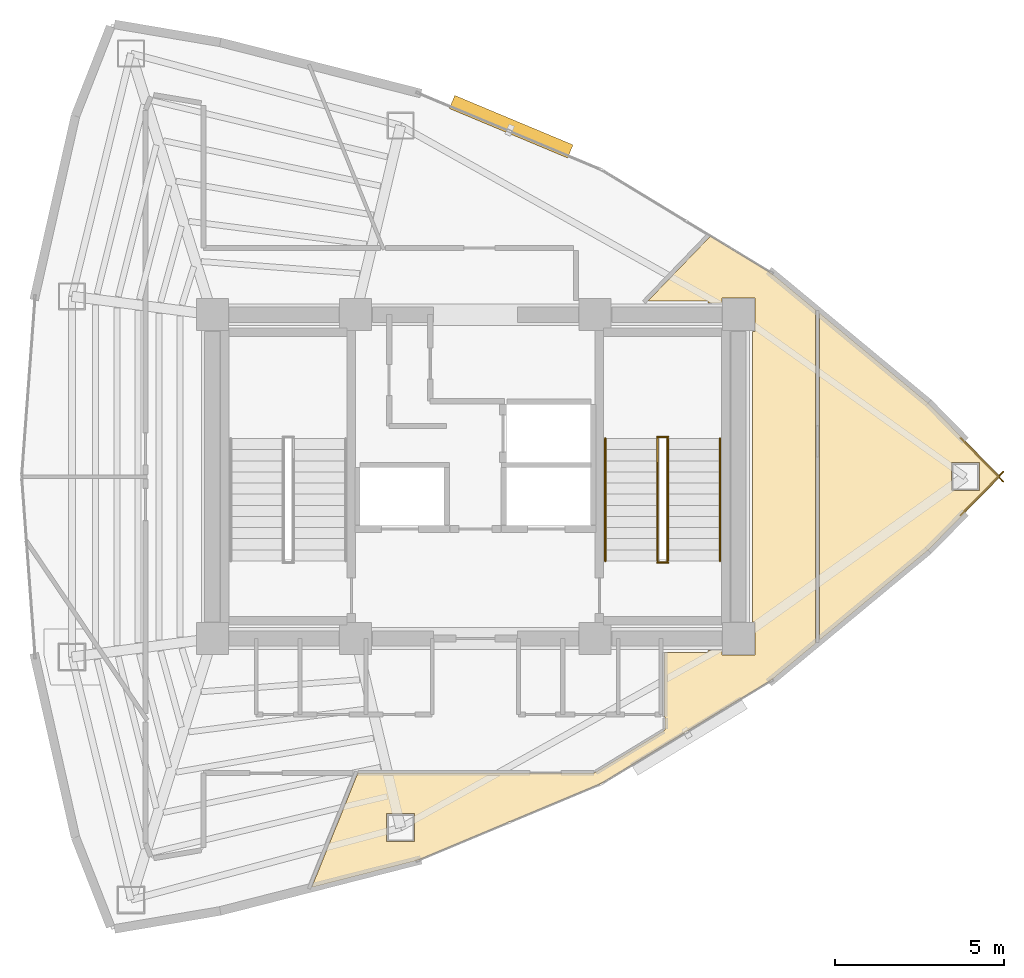
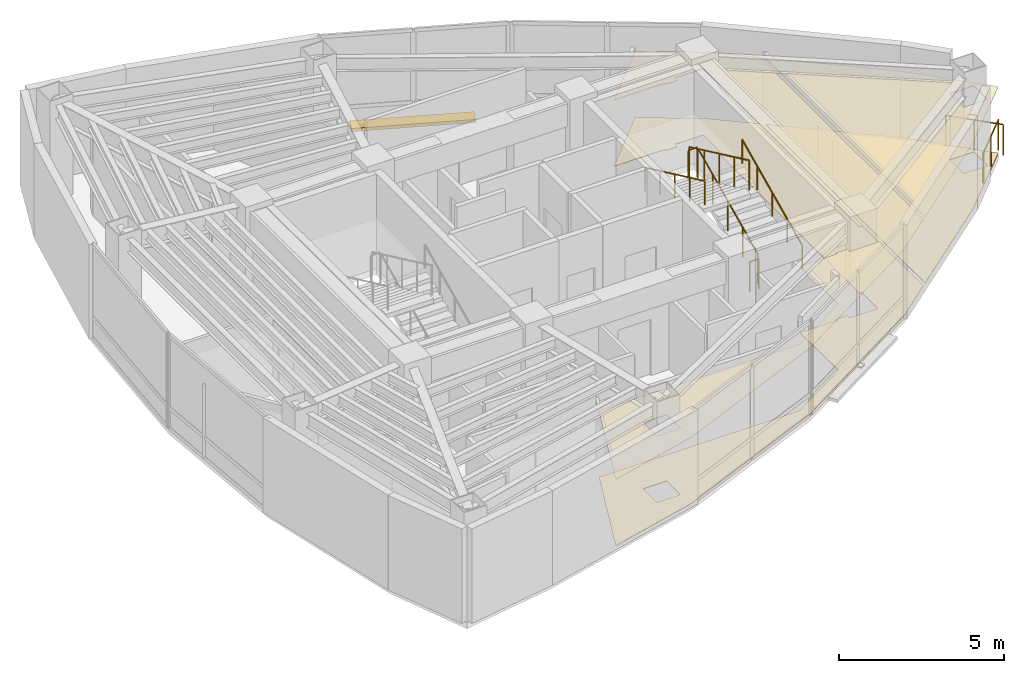
# One storey, part 15 of 15: 8 railings, 4 coverings, 1 shading device.
"""IFC4 building model written with IfcOpenShell, lengths in metres."""

from ifc_helpers import new_model, si_unit, direction, frame, origin, origin_2d, place, context, subcontext, project, spatial, polyline, rectangle, circle, outline, extrude, material, layer, layer_set, type_object, element, save


model = new_model("IFC4")

# Units and contexts
model_context = context("Model", 3, precision=1e-05, world=origin(), true_north=direction((0.0, 1.0)))
body_context = subcontext(model_context, "Body", "Model", "MODEL_VIEW")
ifc_project = project(units=[si_unit("LENGTHUNIT", "METRE"), si_unit("AREAUNIT", "SQUARE_METRE"), si_unit("VOLUMEUNIT", "CUBIC_METRE"), si_unit("PLANEANGLEUNIT", "RADIAN"), si_unit("MASSUNIT", "GRAM", prefix="KILO")], contexts=[model_context])

# Site, building, storey
site_placement = place(None, origin())
site = spatial("IfcSite", under=ifc_project, at=site_placement, CompositionType="ELEMENT")
building_placement = place(site_placement, origin())
building = spatial("IfcBuilding", under=site, at=building_placement, Name="Menara Vayukalpa", CompositionType="ELEMENT")
storey_placement = place(building_placement, frame((0.0, 0.0, 269.4599609375)))
storey = spatial("IfcBuildingStorey", under=building, at=storey_placement, Name="L68", CompositionType="ELEMENT", Elevation=269.4599609375)

# Coverings
ifc_material_1 = material(Name="Mineral Fibre Acoustic Ceiling Tile", Category="masonry")
ifc_layer_1 = layer(ifc_material_1, 0.02490234375)
ifc_layer_set_1 = layer_set([ifc_layer_1], Name="Mineral Fibre Acoustic Ceiling Tile")
covering_type_1 = type_object("IfcCoveringType", Name="COV-CLG1", PredefinedType="CEILING", material=ifc_layer_set_1)
covering_1_placement = place(storey_placement, frame((0.0, 0.0, 2.449951171875)))
element("IfcCovering", 1, at=covering_1_placement, inside=storey, type_object=covering_type_1, Name="L68 Staff Dining and Pantry Acoustic Ceiling", PredefinedType="CEILING", context=body_context, shape_type="SweptSolid", body=[
    extrude(outline(polyline([(33.81005859375, 26.31005859375), (33.889892578125, 26.31005859375), (33.889892578125, 27.2900390625), (32.909912109375, 27.2900390625), (32.909912109375, 27.14990234375), (32.489990234375, 27.14990234375), (32.489990234375, 27.2099609375), (30.73828125, 27.2099609375), (30.7373046875, 27.2099609375), (30.736328125, 27.210205078125), (30.7353515625, 27.21044921875), (30.734375, 27.210693359375), (30.7333984375, 27.211181640625), (30.732666015625, 27.211669921875), (30.73193359375, 27.212158203125), (30.731201171875, 27.212890625), (30.73046875, 27.213623046875), (30.72998046875, 27.21435546875), (30.7294921875, 27.215087890625), (30.72900390625, 27.216064453125), (30.728759765625, 27.217041015625), (30.728515625, 27.218017578125), (30.728271484375, 27.218994140625), (30.728271484375, 27.219970703125), (30.728271484375, 27.220947265625), (30.728515625, 27.2216796875), (30.728515625, 27.222900390625), (30.72900390625, 27.2236328125), (30.729248046875, 27.224609375), (30.729736328125, 27.225341796875), (30.73046875, 27.226318359375), (30.73095703125, 27.226806640625), (32.561279296875, 29.122314453125), (32.56201171875, 29.122802734375), (32.562744140625, 29.12353515625), (32.563720703125, 29.1240234375), (32.564453125, 29.12451171875), (32.565185546875, 29.124755859375), (32.56640625, 29.125), (32.567138671875, 29.125244140625), (32.568115234375, 29.125244140625), (32.569091796875, 29.125244140625), (32.570068359375, 29.125244140625), (32.571044921875, 29.125), (32.572021484375, 29.124755859375), (32.57275390625, 29.124267578125), (32.57373046875, 29.123779296875), (34.37353515625, 28.030517578125), (34.374755859375, 28.02978515625), (35.6806640625, 26.946533203125), (35.681396484375, 26.94580078125), (35.681884765625, 26.9453125), (35.6826171875, 26.9443359375), (35.68310546875, 26.943603515625), (35.68359375, 26.942626953125), (35.683837890625, 26.941650390625), (35.68408203125, 26.940673828125), (35.68408203125, 26.939697265625), (35.68408203125, 26.938720703125), (35.68408203125, 26.937744140625), (35.683837890625, 26.936767578125), (35.68310546875, 26.93359375), (35.682373046875, 26.927490234375), (35.681884765625, 26.92138671875), (35.681884765625, 17.07861328125), (35.682373046875, 17.072509765625), (35.68310546875, 17.06640625), (35.683837890625, 17.063232421875), (35.68408203125, 17.062255859375), (35.68408203125, 17.061279296875), (35.68408203125, 17.060302734375), (35.68408203125, 17.059326171875), (35.683837890625, 17.058349609375), (35.68359375, 17.057373046875), (35.68310546875, 17.056396484375), (35.6826171875, 17.0556640625), (35.681884765625, 17.0546875), (35.681396484375, 17.05419921875), (35.6806640625, 17.053466796875), (34.374755859375, 15.97021484375), (34.37353515625, 15.969482421875), (29.3271484375, 12.904052734375), (29.326416015625, 12.90380859375), (29.32568359375, 12.9033203125), (23.878662109375, 10.624755859375), (23.877197265625, 10.624267578125), (20.76513671875, 9.83056640625), (20.76416015625, 9.830322265625), (20.76318359375, 9.830322265625), (20.76220703125, 9.830322265625), (20.76123046875, 9.830322265625), (20.76025390625, 9.83056640625), (20.75927734375, 9.830810546875), (20.75830078125, 9.831298828125), (20.757568359375, 9.831787109375), (20.756591796875, 9.83251953125), (20.755859375, 9.8330078125), (20.755126953125, 9.833740234375), (20.754638671875, 9.83447265625), (20.75390625, 9.835205078125), (20.753662109375, 9.836181640625), (20.753173828125, 9.837158203125), (20.7529296875, 9.838134765625), (20.752685546875, 9.839111328125), (20.752685546875, 9.840087890625), (20.752685546875, 9.841064453125), (20.7529296875, 9.842041015625), (20.753173828125, 9.843017578125), (20.75341796875, 9.843994140625), (22.11474609375, 13.213623046875), (22.115234375, 13.214599609375), (22.11572265625, 13.215576171875), (22.1162109375, 13.21630859375), (22.116943359375, 13.217041015625), (22.11767578125, 13.2177734375), (22.118408203125, 13.21826171875), (22.119384765625, 13.21875), (22.1201171875, 13.21923828125), (22.12109375, 13.219482421875), (22.1220703125, 13.2197265625), (22.123046875, 13.219970703125), (22.1240234375, 13.219970703125), (29.109619140625, 13.219970703125), (29.11669921875, 13.220458984375), (29.12353515625, 13.221435546875), (29.13037109375, 13.22314453125), (29.13720703125, 13.2255859375), (29.153076171875, 13.232177734375), (29.157958984375, 13.234375), (29.16259765625, 13.237060546875), (31.18603515625, 14.46630859375), (31.1923828125, 14.470458984375), (31.19775390625, 14.47509765625), (31.20263671875, 14.480224609375), (31.20703125, 14.48583984375), (31.2109375, 14.491943359375), (31.214111328125, 14.498291015625), (31.216552734375, 14.5048828125), (31.218505859375, 14.511962890625), (31.219482421875, 14.51904296875), (31.219970703125, 14.5263671875), (31.219970703125, 14.849609375), (31.219482421875, 14.856689453125), (31.21875, 14.86376953125), (31.217041015625, 14.870361328125), (31.214599609375, 14.876708984375), (31.2119140625, 14.8828125), (31.211669921875, 14.883056640625), (31.211181640625, 14.8837890625), (31.210693359375, 14.884765625), (31.21044921875, 14.8857421875), (31.210205078125, 14.88671875), (31.2099609375, 14.8876953125), (31.2099609375, 14.888671875), (31.2099609375, 16.780029296875), (31.2099609375, 16.781005859375), (31.210205078125, 16.781982421875), (31.21044921875, 16.782958984375), (31.210693359375, 16.78369140625), (31.211181640625, 16.78466796875), (31.211669921875, 16.78564453125), (31.21240234375, 16.786376953125), (31.212890625, 16.787109375), (31.213623046875, 16.78759765625), (31.21435546875, 16.788330078125), (31.21533203125, 16.788818359375), (31.21630859375, 16.789306640625), (31.217041015625, 16.78955078125), (31.218017578125, 16.789794921875), (31.218994140625, 16.7900390625), (31.219970703125, 16.7900390625), (32.489990234375, 16.7900390625), (32.489990234375, 16.85009765625), (32.909912109375, 16.85009765625), (32.909912109375, 16.7099609375), (33.889892578125, 16.7099609375), (33.889892578125, 17.68994140625), (33.81005859375, 17.68994140625), (33.81005859375, 26.31005859375)]), holes=[polyline([(23.796875, 12.01025390625), (22.966796875, 12.01025390625), (22.966796875, 11.18017578125), (23.796875, 11.18017578125), (23.796875, 12.01025390625)])]), origin(), (0.0, 0.0, 1.0), 0.025146484375),
])
covering_2_placement = place(storey_placement, frame((0.0, 0.0, 2.449951171875)))
element("IfcCovering", 2, at=covering_2_placement, inside=storey, type_object=covering_type_1, Name="L68 Staff Dining and Pantry Acoustic Ceiling", PredefinedType="CEILING", context=body_context, shape_type="SweptSolid", body=[
    extrude(outline(polyline([(41.15087890625, 22.007080078125), (41.151611328125, 22.00634765625), (41.15234375, 22.005615234375), (41.152587890625, 22.004638671875), (41.1533203125, 22.00390625), (41.153564453125, 22.0029296875), (41.15380859375, 22.001953125), (41.15380859375, 22.0009765625), (41.15380859375, 22.0), (41.15380859375, 21.9990234375), (41.15380859375, 21.998046875), (41.153564453125, 21.9970703125), (41.1533203125, 21.99609375), (41.152587890625, 21.995361328125), (41.15234375, 21.994384765625), (41.151611328125, 21.99365234375), (41.15087890625, 21.992919921875), (39.021240234375, 19.82373046875), (39.0205078125, 19.822998046875), (35.818359375, 17.16748046875), (35.817626953125, 17.1669921875), (35.81689453125, 17.16650390625), (35.81591796875, 17.166015625), (35.81494140625, 17.165771484375), (35.81396484375, 17.16552734375), (35.81298828125, 17.165283203125), (35.81201171875, 17.165283203125), (35.81103515625, 17.165283203125), (35.81005859375, 17.16552734375), (35.80908203125, 17.165771484375), (35.80810546875, 17.166015625), (35.807373046875, 17.16650390625), (35.806396484375, 17.1669921875), (35.8056640625, 17.16748046875), (35.804931640625, 17.168212890625), (35.80419921875, 17.1689453125), (35.8037109375, 17.169677734375), (35.80322265625, 17.170654296875), (35.802734375, 17.17138671875), (35.802490234375, 17.17236328125), (35.80224609375, 17.17333984375), (35.802001953125, 17.17431640625), (35.802001953125, 17.17529296875), (35.802001953125, 26.82470703125), (35.802001953125, 26.82568359375), (35.80224609375, 26.82666015625), (35.802490234375, 26.82763671875), (35.802734375, 26.82861328125), (35.80322265625, 26.829345703125), (35.8037109375, 26.830322265625), (35.80419921875, 26.8310546875), (35.804931640625, 26.831787109375), (35.8056640625, 26.83251953125), (35.806396484375, 26.8330078125), (35.807373046875, 26.83349609375), (35.80810546875, 26.833984375), (35.80908203125, 26.834228515625), (35.81005859375, 26.83447265625), (35.81103515625, 26.834716796875), (35.81201171875, 26.834716796875), (35.81298828125, 26.834716796875), (35.81396484375, 26.83447265625), (35.81494140625, 26.834228515625), (35.81591796875, 26.833984375), (35.81689453125, 26.83349609375), (35.817626953125, 26.8330078125), (35.818359375, 26.83251953125), (39.0205078125, 24.177001953125), (39.021240234375, 24.17626953125), (41.15087890625, 22.007080078125)]), holes=[polyline([(40.536865234375, 22.4150390625), (39.706787109375, 22.4150390625), (39.706787109375, 21.5849609375), (40.536865234375, 21.5849609375), (40.536865234375, 22.4150390625)])]), origin(), (0.0, 0.0, 1.0), 0.025146484375),
])
ifc_material_2 = material(Name="Porcelain Stoneware Floor Tile", Category="masonry")
ifc_layer_2 = layer(ifc_material_2, 0.02001953125)
ifc_layer_set_2 = layer_set([ifc_layer_2], Name="Porcelain Stoneware Floor Tile")
covering_type_2 = type_object("IfcCoveringType", Name="COV-FLR1", PredefinedType="FLOORING", material=ifc_layer_set_2)
covering_3_placement = place(storey_placement, origin())
element("IfcCovering", 3, at=covering_3_placement, inside=storey, type_object=covering_type_2, Name="L68 Staff Dining and Pantry Porcelain Flooring", PredefinedType="FLOORING", context=body_context, shape_type="SweptSolid", body=[
    extrude(outline(polyline([(33.81005859375, 26.31005859375), (33.889892578125, 26.31005859375), (33.889892578125, 27.2900390625), (32.909912109375, 27.2900390625), (32.909912109375, 27.14990234375), (32.489990234375, 27.14990234375), (32.489990234375, 27.2099609375), (30.73828125, 27.2099609375), (30.7373046875, 27.2099609375), (30.736328125, 27.210205078125), (30.7353515625, 27.21044921875), (30.734375, 27.210693359375), (30.7333984375, 27.211181640625), (30.732666015625, 27.211669921875), (30.73193359375, 27.212158203125), (30.731201171875, 27.212890625), (30.73046875, 27.213623046875), (30.72998046875, 27.21435546875), (30.7294921875, 27.215087890625), (30.72900390625, 27.216064453125), (30.728759765625, 27.217041015625), (30.728515625, 27.218017578125), (30.728271484375, 27.218994140625), (30.728271484375, 27.219970703125), (30.728271484375, 27.220947265625), (30.728515625, 27.2216796875), (30.728515625, 27.222900390625), (30.72900390625, 27.2236328125), (30.729248046875, 27.224609375), (30.729736328125, 27.225341796875), (30.73046875, 27.226318359375), (30.73095703125, 27.226806640625), (32.561279296875, 29.122314453125), (32.56201171875, 29.122802734375), (32.562744140625, 29.12353515625), (32.563720703125, 29.1240234375), (32.564453125, 29.12451171875), (32.565185546875, 29.124755859375), (32.56640625, 29.125), (32.567138671875, 29.125244140625), (32.568115234375, 29.125244140625), (32.569091796875, 29.125244140625), (32.570068359375, 29.125244140625), (32.571044921875, 29.125), (32.572021484375, 29.124755859375), (32.57275390625, 29.124267578125), (32.57373046875, 29.123779296875), (34.37353515625, 28.030517578125), (34.374755859375, 28.02978515625), (35.6806640625, 26.946533203125), (35.681396484375, 26.94580078125), (35.681884765625, 26.9453125), (35.6826171875, 26.9443359375), (35.68310546875, 26.943603515625), (35.68359375, 26.942626953125), (35.683837890625, 26.941650390625), (35.68408203125, 26.940673828125), (35.68408203125, 26.939697265625), (35.68408203125, 26.938720703125), (35.68408203125, 26.937744140625), (35.683837890625, 26.936767578125), (35.68310546875, 26.93359375), (35.682373046875, 26.927490234375), (35.681884765625, 26.92138671875), (35.681884765625, 17.07861328125), (35.682373046875, 17.072509765625), (35.68310546875, 17.06640625), (35.683837890625, 17.063232421875), (35.68408203125, 17.062255859375), (35.68408203125, 17.061279296875), (35.68408203125, 17.060302734375), (35.68408203125, 17.059326171875), (35.683837890625, 17.058349609375), (35.68359375, 17.057373046875), (35.68310546875, 17.056396484375), (35.6826171875, 17.0556640625), (35.681884765625, 17.0546875), (35.681396484375, 17.05419921875), (35.6806640625, 17.053466796875), (34.374755859375, 15.97021484375), (34.37353515625, 15.969482421875), (29.3271484375, 12.904052734375), (29.326416015625, 12.90380859375), (29.32568359375, 12.9033203125), (23.878662109375, 10.624755859375), (23.877197265625, 10.624267578125), (20.76513671875, 9.83056640625), (20.76416015625, 9.830322265625), (20.76318359375, 9.830322265625), (20.76220703125, 9.830322265625), (20.76123046875, 9.830322265625), (20.76025390625, 9.83056640625), (20.75927734375, 9.830810546875), (20.75830078125, 9.831298828125), (20.757568359375, 9.831787109375), (20.756591796875, 9.83251953125), (20.755859375, 9.8330078125), (20.755126953125, 9.833740234375), (20.754638671875, 9.83447265625), (20.75390625, 9.835205078125), (20.753662109375, 9.836181640625), (20.753173828125, 9.837158203125), (20.7529296875, 9.838134765625), (20.752685546875, 9.839111328125), (20.752685546875, 9.840087890625), (20.752685546875, 9.841064453125), (20.7529296875, 9.842041015625), (20.753173828125, 9.843017578125), (20.75341796875, 9.843994140625), (22.11474609375, 13.213623046875), (22.115234375, 13.214599609375), (22.11572265625, 13.215576171875), (22.1162109375, 13.21630859375), (22.116943359375, 13.217041015625), (22.11767578125, 13.2177734375), (22.118408203125, 13.21826171875), (22.119384765625, 13.21875), (22.1201171875, 13.21923828125), (22.12109375, 13.219482421875), (22.1220703125, 13.2197265625), (22.123046875, 13.219970703125), (22.1240234375, 13.219970703125), (29.109619140625, 13.219970703125), (29.11669921875, 13.220458984375), (29.12353515625, 13.221435546875), (29.13037109375, 13.22314453125), (29.13720703125, 13.2255859375), (29.153076171875, 13.232177734375), (29.157958984375, 13.234375), (29.16259765625, 13.237060546875), (31.18603515625, 14.46630859375), (31.1923828125, 14.470458984375), (31.19775390625, 14.47509765625), (31.20263671875, 14.480224609375), (31.20703125, 14.48583984375), (31.2109375, 14.491943359375), (31.214111328125, 14.498291015625), (31.216552734375, 14.5048828125), (31.218505859375, 14.511962890625), (31.219482421875, 14.51904296875), (31.219970703125, 14.5263671875), (31.219970703125, 14.849609375), (31.219482421875, 14.856689453125), (31.21875, 14.86376953125), (31.217041015625, 14.870361328125), (31.214599609375, 14.876708984375), (31.2119140625, 14.8828125), (31.211669921875, 14.883056640625), (31.211181640625, 14.8837890625), (31.210693359375, 14.884765625), (31.21044921875, 14.8857421875), (31.210205078125, 14.88671875), (31.2099609375, 14.8876953125), (31.2099609375, 14.888671875), (31.2099609375, 16.780029296875), (31.2099609375, 16.781005859375), (31.210205078125, 16.781982421875), (31.21044921875, 16.782958984375), (31.210693359375, 16.78369140625), (31.211181640625, 16.78466796875), (31.211669921875, 16.78564453125), (31.21240234375, 16.786376953125), (31.212890625, 16.787109375), (31.213623046875, 16.78759765625), (31.21435546875, 16.788330078125), (31.21533203125, 16.788818359375), (31.21630859375, 16.789306640625), (31.217041015625, 16.78955078125), (31.218017578125, 16.789794921875), (31.218994140625, 16.7900390625), (31.219970703125, 16.7900390625), (32.489990234375, 16.7900390625), (32.489990234375, 16.85009765625), (32.909912109375, 16.85009765625), (32.909912109375, 16.7099609375), (33.889892578125, 16.7099609375), (33.889892578125, 17.68994140625), (33.81005859375, 17.68994140625), (33.81005859375, 26.31005859375)]), holes=[polyline([(23.796875, 12.01025390625), (22.966796875, 12.01025390625), (22.966796875, 11.18017578125), (23.796875, 11.18017578125), (23.796875, 12.01025390625)])]), origin(), (0.0, 0.0, 1.0), 0.02001953125),
])
covering_4_placement = place(storey_placement, origin())
element("IfcCovering", 4, at=covering_4_placement, inside=storey, type_object=covering_type_2, Name="L68 Staff Dining and Pantry Porcelain Flooring", PredefinedType="FLOORING", context=body_context, shape_type="SweptSolid", body=[
    extrude(outline(polyline([(41.15087890625, 22.007080078125), (41.151611328125, 22.00634765625), (41.15234375, 22.005615234375), (41.152587890625, 22.004638671875), (41.1533203125, 22.00390625), (41.153564453125, 22.0029296875), (41.15380859375, 22.001953125), (41.15380859375, 22.0009765625), (41.15380859375, 22.0), (41.15380859375, 21.9990234375), (41.15380859375, 21.998046875), (41.153564453125, 21.9970703125), (41.1533203125, 21.99609375), (41.152587890625, 21.995361328125), (41.15234375, 21.994384765625), (41.151611328125, 21.99365234375), (41.15087890625, 21.992919921875), (39.021240234375, 19.82373046875), (39.0205078125, 19.822998046875), (35.818359375, 17.16748046875), (35.817626953125, 17.1669921875), (35.81689453125, 17.16650390625), (35.81591796875, 17.166015625), (35.81494140625, 17.165771484375), (35.81396484375, 17.16552734375), (35.81298828125, 17.165283203125), (35.81201171875, 17.165283203125), (35.81103515625, 17.165283203125), (35.81005859375, 17.16552734375), (35.80908203125, 17.165771484375), (35.80810546875, 17.166015625), (35.807373046875, 17.16650390625), (35.806396484375, 17.1669921875), (35.8056640625, 17.16748046875), (35.804931640625, 17.168212890625), (35.80419921875, 17.1689453125), (35.8037109375, 17.169677734375), (35.80322265625, 17.170654296875), (35.802734375, 17.17138671875), (35.802490234375, 17.17236328125), (35.80224609375, 17.17333984375), (35.802001953125, 17.17431640625), (35.802001953125, 17.17529296875), (35.802001953125, 26.82470703125), (35.802001953125, 26.82568359375), (35.80224609375, 26.82666015625), (35.802490234375, 26.82763671875), (35.802734375, 26.82861328125), (35.80322265625, 26.829345703125), (35.8037109375, 26.830322265625), (35.80419921875, 26.8310546875), (35.804931640625, 26.831787109375), (35.8056640625, 26.83251953125), (35.806396484375, 26.8330078125), (35.807373046875, 26.83349609375), (35.80810546875, 26.833984375), (35.80908203125, 26.834228515625), (35.81005859375, 26.83447265625), (35.81103515625, 26.834716796875), (35.81201171875, 26.834716796875), (35.81298828125, 26.834716796875), (35.81396484375, 26.83447265625), (35.81494140625, 26.834228515625), (35.81591796875, 26.833984375), (35.81689453125, 26.83349609375), (35.817626953125, 26.8330078125), (35.818359375, 26.83251953125), (39.0205078125, 24.177001953125), (39.021240234375, 24.17626953125), (41.15087890625, 22.007080078125)]), holes=[polyline([(40.536865234375, 22.4150390625), (39.706787109375, 22.4150390625), (39.706787109375, 21.5849609375), (40.536865234375, 21.5849609375), (40.536865234375, 22.4150390625)])]), origin(), (0.0, 0.0, 1.0), 0.02001953125),
])

# Railings
ifc_material_3 = material(Name="Laminated Glass and Stainless Steel 316 Guardrail", Category="steel")
railing_type_1 = type_object("IfcRailingType", Name="RLG-EXT115", PredefinedType="GUARDRAIL", material=ifc_material_3)
railing_1_placement = place(storey_placement, frame((39.976318359375, 20.853515625, 0.0)))
element("IfcRailing", 5, at=railing_1_placement, inside=storey, type_object=railing_type_1, Name="L68 Column Corner Spandrel Guardrail 01-1", PredefinedType="GUARDRAIL", context=body_context, shape_type="SweptSolid", body=[
    extrude(circle(Radius=0.02392578125, at=origin_2d()), frame((0.0, 0.0, 1.1259765625), z_axis=(0.700555224103, 0.713598190848, 0.0), x_axis=(-0.713598190848, 0.700555224103, 0.0)), (0.0, 0.0, 1.0), 1.815673828125),
    extrude(circle(Radius=0.02099609375, at=origin_2d()), origin(), (0.0, 0.0, 1.0), 1.101806640625),
    extrude(circle(Radius=0.02099609375, at=origin_2d()), frame((0.635986328125, 0.64794921875, 0.0)), (0.0, 0.0, 1.0), 1.101806640625),
    extrude(circle(Radius=0.02099609375, at=origin_2d()), frame((1.27197265625, 1.295654296875, 0.0)), (0.0, 0.0, 1.0), 1.101806640625),
])
railing_2_placement = place(storey_placement, frame((41.248291015625, 21.850830078125, 0.0)))
element("IfcRailing", 6, at=railing_2_placement, inside=storey, type_object=railing_type_1, Name="L68 Column Corner Spandrel Guardrail 02-1", PredefinedType="GUARDRAIL", context=body_context, shape_type="SweptSolid", body=[
    extrude(circle(Radius=0.02392578125, at=origin_2d()), frame((0.0, 0.0, 1.1259765625), z_axis=(-0.700555224103, 0.713598190848, 0.0), x_axis=(-0.713598190848, -0.700555224103, 0.0)), (0.0, 0.0, 1.0), 1.815673828125),
    extrude(circle(Radius=0.02099609375, at=origin_2d()), origin(), (0.0, 0.0, 1.0), 1.101806640625),
    extrude(circle(Radius=0.02099609375, at=origin_2d()), frame((-0.635986328125, 0.64794921875, 0.0)), (0.0, 0.0, 1.0), 1.101806640625),
    extrude(circle(Radius=0.02099609375, at=origin_2d()), frame((-1.27197265625, 1.295654296875, 0.0)), (0.0, 0.0, 1.0), 1.101806640625),
])
ifc_material_4 = material(Name="Powder-Coated Galvanised Steel Guardrail", Category="steel")
railing_type_2 = type_object("IfcRailingType", Name="RLG-STG110", PredefinedType="GUARDRAIL", material=ifc_material_4)
railing_3_placement = place(storey_placement, frame((31.300048828125, 19.5, 0.155029296875)))
element("IfcRailing", 7, at=railing_3_placement, inside=storey, type_object=railing_type_2, Name="L68 ST-2 stair guard 1", PredefinedType="GUARDRAIL", context=body_context, shape_type="SweptSolid", body=[
    extrude(circle(Radius=0.02392578125, at=origin_2d()), frame((0.0, 0.0, 1.09619140625), z_axis=(0.0, 0.90511648382, 0.425163675209), x_axis=(-1.0, 0.0, 0.0)), (0.0, 0.0, 1.0), 4.010498046875),
    extrude(circle(Radius=0.02099609375, at=origin_2d()), origin(), (0.0, 0.0, 1.0), 1.072021484375),
    extrude(circle(Radius=0.02099609375, at=origin_2d()), frame((0.0, 0.907470703125, 0.42626953125)), (0.0, 0.0, 1.0), 1.072021484375),
    extrude(circle(Radius=0.02099609375, at=origin_2d()), frame((0.0, 1.81494140625, 0.8525390625)), (0.0, 0.0, 1.0), 1.072021484375),
    extrude(circle(Radius=0.02099609375, at=origin_2d()), frame((0.0, 2.722412109375, 1.27880859375)), (0.0, 0.0, 1.0), 1.072021484375),
    extrude(circle(Radius=0.02099609375, at=origin_2d()), frame((0.0, 3.6298828125, 1.705078125)), (0.0, 0.0, 1.0), 1.072021484375),
])
railing_4_placement = place(storey_placement, frame((31.31005859375, 23.179931640625, 1.860107421875)))
element("IfcRailing", 8, at=railing_4_placement, inside=storey, type_object=railing_type_2, Name="L68 ST-2 stair guard 2", PredefinedType="GUARDRAIL", context=body_context, shape_type="SweptSolid", body=[
    extrude(circle(Radius=0.02392578125, at=origin_2d()), frame((0.0, 0.0, 1.09619140625), z_axis=(-1.0, 0.0, 0.0), x_axis=(0.0, -1.0, 0.0)), (0.0, 0.0, 1.0), 0.320068359375),
    extrude(circle(Radius=0.02099609375, at=origin_2d()), origin(), (0.0, 0.0, 1.0), 1.072021484375),
    extrude(circle(Radius=0.02099609375, at=origin_2d()), frame((-0.320068359375, 0.0, 0.0)), (0.0, 0.0, 1.0), 1.072021484375),
])
railing_5_placement = place(storey_placement, frame((31.0, 23.1298828125, 2.01513671875)))
element("IfcRailing", 9, at=railing_5_placement, inside=storey, type_object=railing_type_2, Name="L68 ST-2 stair guard 3", PredefinedType="GUARDRAIL", context=body_context, shape_type="SweptSolid", body=[
    extrude(circle(Radius=0.02392578125, at=origin_2d()), frame((0.0, 0.0, 1.09619140625), z_axis=(0.0, -0.90513990983, 0.425113800803), x_axis=(1.0, 0.0, 0.0)), (0.0, 0.0, 1.0), 4.01025390625),
    extrude(circle(Radius=0.02099609375, at=origin_2d()), origin(), (0.0, 0.0, 1.0), 1.072021484375),
    extrude(circle(Radius=0.02099609375, at=origin_2d()), frame((0.0, -0.907470703125, 0.42626953125)), (0.0, 0.0, 1.0), 1.072021484375),
    extrude(circle(Radius=0.02099609375, at=origin_2d()), frame((0.0, -1.81494140625, 0.8525390625)), (0.0, 0.0, 1.0), 1.072021484375),
    extrude(circle(Radius=0.02099609375, at=origin_2d()), frame((0.0, -2.722412109375, 1.278564453125)), (0.0, 0.0, 1.0), 1.072021484375),
    extrude(circle(Radius=0.02099609375, at=origin_2d()), frame((0.0, -3.6298828125, 1.704833984375)), (0.0, 0.0, 1.0), 1.072021484375),
])
railing_6_placement = place(storey_placement, frame((31.31005859375, 19.449951171875, 0.0)))
element("IfcRailing", 10, at=railing_6_placement, inside=storey, type_object=railing_type_2, Name="L68 ST-2 stair guard 4", PredefinedType="GUARDRAIL", context=body_context, shape_type="SweptSolid", body=[
    extrude(circle(Radius=0.02392578125, at=origin_2d()), frame((0.0, 0.0, 1.09619140625), z_axis=(-1.0, 0.0, 0.0), x_axis=(0.0, -1.0, 0.0)), (0.0, 0.0, 1.0), 0.320068359375),
    extrude(circle(Radius=0.02099609375, at=origin_2d()), origin(), (0.0, 0.0, 1.0), 1.072021484375),
    extrude(circle(Radius=0.02099609375, at=origin_2d()), frame((-0.320068359375, 0.0, 0.0)), (0.0, 0.0, 1.0), 1.072021484375),
])
ifc_material_5 = material(Name="Stainless Steel 316 Tubular Handrail", Category="steel")
railing_type_3 = type_object("IfcRailingType", Name="RLG-STH090", PredefinedType="HANDRAIL", material=ifc_material_5)
railing_7_placement = place(storey_placement, frame((32.85009765625, 19.5, 0.155029296875)))
element("IfcRailing", 11, at=railing_7_placement, inside=storey, type_object=railing_type_3, Name="L68 ST-2 stair handrail 1", PredefinedType="HANDRAIL", context=body_context, shape_type="SweptSolid", body=[
    extrude(circle(Radius=0.02392578125, at=origin_2d()), frame((0.0, 0.0, 0.8759765625), z_axis=(0.0, 0.90511648382, 0.425163675209), x_axis=(-1.0, 0.0, 0.0)), (0.0, 0.0, 1.0), 4.010498046875),
    extrude(circle(Radius=0.02099609375, at=origin_2d()), origin(), (0.0, 0.0, 1.0), 0.851806640625),
    extrude(circle(Radius=0.02099609375, at=origin_2d()), frame((0.0, 0.907470703125, 0.42626953125)), (0.0, 0.0, 1.0), 0.851806640625),
    extrude(circle(Radius=0.02099609375, at=origin_2d()), frame((0.0, 1.81494140625, 0.8525390625)), (0.0, 0.0, 1.0), 0.851806640625),
    extrude(circle(Radius=0.02099609375, at=origin_2d()), frame((0.0, 2.722412109375, 1.27880859375)), (0.0, 0.0, 1.0), 0.851806640625),
    extrude(circle(Radius=0.02099609375, at=origin_2d()), frame((0.0, 3.6298828125, 1.705078125)), (0.0, 0.0, 1.0), 0.851806640625),
])
railing_8_placement = place(storey_placement, frame((29.449951171875, 23.1298828125, 2.01513671875)))
element("IfcRailing", 12, at=railing_8_placement, inside=storey, type_object=railing_type_3, Name="L68 ST-2 stair handrail 2", PredefinedType="HANDRAIL", context=body_context, shape_type="SweptSolid", body=[
    extrude(circle(Radius=0.02392578125, at=origin_2d()), frame((0.0, 0.0, 0.8759765625), z_axis=(0.0, -0.90513990983, 0.425113800803), x_axis=(1.0, 0.0, 0.0)), (0.0, 0.0, 1.0), 4.01025390625),
    extrude(circle(Radius=0.02099609375, at=origin_2d()), origin(), (0.0, 0.0, 1.0), 0.851806640625),
    extrude(circle(Radius=0.02099609375, at=origin_2d()), frame((0.0, -0.907470703125, 0.42626953125)), (0.0, 0.0, 1.0), 0.851806640625),
    extrude(circle(Radius=0.02099609375, at=origin_2d()), frame((0.0, -1.81494140625, 0.8525390625)), (0.0, 0.0, 1.0), 0.851806640625),
    extrude(circle(Radius=0.02099609375, at=origin_2d()), frame((0.0, -2.722412109375, 1.278564453125)), (0.0, 0.0, 1.0), 0.851806640625),
    extrude(circle(Radius=0.02099609375, at=origin_2d()), frame((0.0, -3.6298828125, 1.704833984375)), (0.0, 0.0, 1.0), 0.851806640625),
])

# Shading device
ifc_material_6 = material(Name="Glazed Terracotta Ceramic Baguette Extrusion", Category="masonry")
ifc_layer_3 = layer(ifc_material_6, 0.1201171875)
ifc_layer_set_3 = layer_set([ifc_layer_3], Name="Glazed Terracotta Ceramic Baguette Extrusion")
shading_device_type = type_object("IfcShadingDeviceType", Name="SHD-SS1", PredefinedType="USERDEFINED", material=ifc_layer_set_3)
shading_device_placement = place(storey_placement, frame((26.66015625, 32.374267578125, -0.10009765625), z_axis=(0.0, 0.0, 1.0), x_axis=(-0.922538089456, 0.385906042324, 0.0)))
element("IfcShadingDevice", 13, at=shading_device_placement, inside=storey, type_object=shading_device_type, Name="L68 Horizontal Terracotta Sunshade Band 05", ObjectType="SUNSHADE", PredefinedType="USERDEFINED", context=body_context, shape_type="SweptSolid", body=[
    extrude(rectangle(XDim=3.800048828125, YDim=0.419921875, at=origin_2d()), origin(), (0.0, 0.0, 1.0), 0.1201171875),
])

save(model, "model.ifc")
